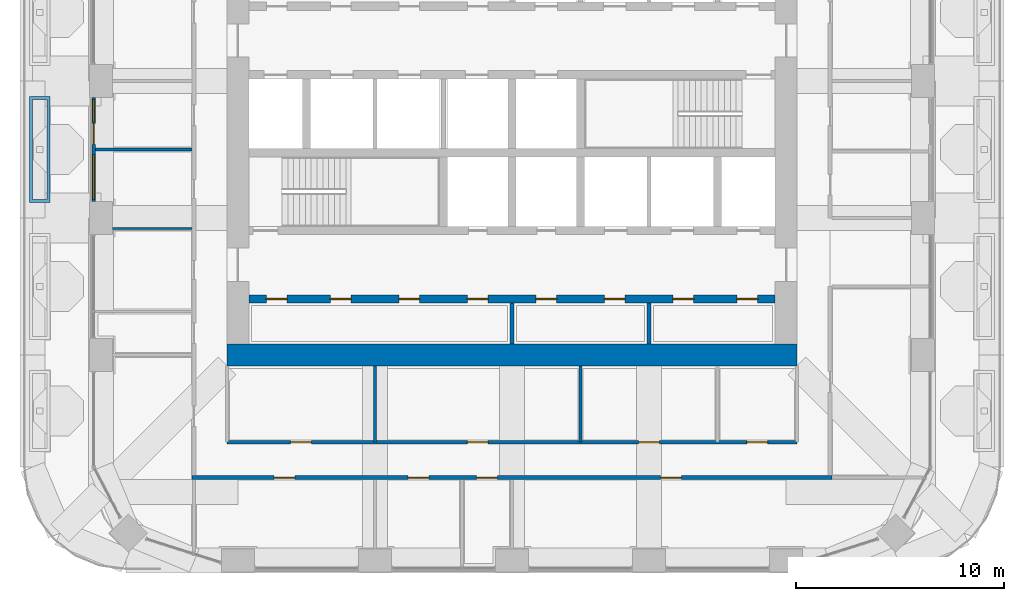
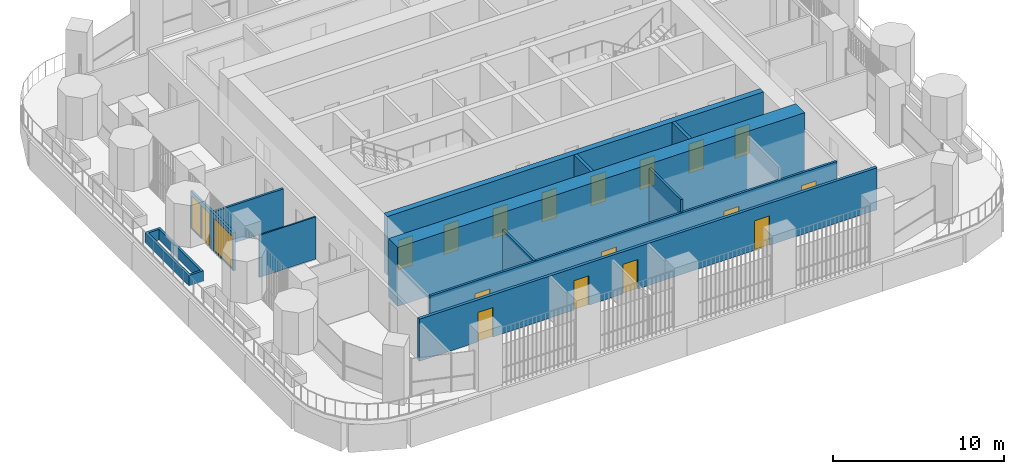
# One storey, part 14 of 24: 17 doors, 12 walls, 2 windows, 19 openings.
"""IFC4 building model written with IfcOpenShell, lengths in metres."""

from ifc_helpers import new_model, si_unit, direction, frame, frame_2d, origin, place, context, subcontext, project, spatial, polyline, rectangle, outline, extrude, material, layer, layer_set, type_object, element, fill, save


model = new_model("IFC4")

# Units and contexts
model_context = context("Model", 3, precision=1e-05, world=origin(), true_north=direction((0.0, 1.0)))
body_context = subcontext(model_context, "Body", "Model", "MODEL_VIEW")
ifc_project = project(units=[si_unit("LENGTHUNIT", "METRE"), si_unit("AREAUNIT", "SQUARE_METRE"), si_unit("VOLUMEUNIT", "CUBIC_METRE"), si_unit("PLANEANGLEUNIT", "RADIAN"), si_unit("MASSUNIT", "GRAM", prefix="KILO")], contexts=[model_context])

# Site, building, storey
site_placement = place(None, origin())
site = spatial("IfcSite", under=ifc_project, at=site_placement, CompositionType="ELEMENT")
building_placement = place(site_placement, origin())
building = spatial("IfcBuilding", under=site, at=building_placement, Name="Cobogo Forest Laboratory Tower", CompositionType="ELEMENT")
storey_placement = place(building_placement, frame((0.0, 0.0, 229.199951171875)))
storey = spatial("IfcBuildingStorey", under=building, at=storey_placement, Name="L52", CompositionType="ELEMENT", Elevation=229.199951171875)

# Wall, openings, doors
ifc_material_1 = material(Name="Concrete HA-50 (C50/60)", Category="concrete")
ifc_layer_1 = layer(ifc_material_1, 0.39990234375)
ifc_layer_set_1 = layer_set([ifc_layer_1], Name="CI400 core inner wall 400")
wall_type_1 = type_object("IfcWallType", Name="CI400 core inner wall 400", PredefinedType="SHEAR", material=ifc_layer_set_1)
wall_1_placement = place(storey_placement, frame((13.72509765625, 15.89990234375, 0.0), z_axis=(0.0, 0.0, 1.0), x_axis=(1.0, 0.0, 0.0)))
wall_1 = element("IfcWall", 1, at=wall_1_placement, inside=storey, type_object=wall_type_1, Name="Core wall CI-15.9 L52", PredefinedType="SHEAR", context=body_context, shape_type="SweptSolid", body=[
    extrude(rectangle(XDim=25.349853515625, YDim=0.39990234375, at=frame_2d((12.6748046875, 0.0))), origin(), (0.0, 0.0, 1.0), 4.199951171875),
])
opening_1_placement = place(wall_1_placement, frame((0.83740234375, 0.0, 0.0)))
opening_1 = element("IfcOpeningElement", 2, at=opening_1_placement, cuts=wall_1, Name="Opening L52-D12", PredefinedType="OPENING", context=body_context, shape_type="SweptSolid", body=[
    extrude(rectangle(XDim=1.0, YDim=2.10009765625, at=frame_2d((0.5, 1.050048828125))), frame((0.0, 0.2099609375, 0.0), z_axis=(0.0, -1.0, 0.0), x_axis=(1.0, 0.0, 0.0)), (0.0, 0.0, 1.0), 0.419921875),
])
opening_2_placement = place(wall_1_placement, frame((3.925048828125, 0.0, 0.0)))
opening_2 = element("IfcOpeningElement", 3, at=opening_2_placement, cuts=wall_1, Name="Opening L52-D13", PredefinedType="OPENING", context=body_context, shape_type="SweptSolid", body=[
    extrude(rectangle(XDim=1.0, YDim=2.10009765625, at=frame_2d((0.5, 1.050048828125))), frame((0.0, 0.2099609375, 0.0), z_axis=(0.0, -1.0, 0.0), x_axis=(1.0, 0.0, 0.0)), (0.0, 0.0, 1.0), 0.419921875),
])
opening_3_placement = place(wall_1_placement, frame((7.22509765625, 0.0, 0.0)))
opening_3 = element("IfcOpeningElement", 4, at=opening_3_placement, cuts=wall_1, Name="Opening L52-D14", PredefinedType="OPENING", context=body_context, shape_type="SweptSolid", body=[
    extrude(rectangle(XDim=1.0, YDim=2.10009765625, at=frame_2d((0.5, 1.050048828125))), frame((0.0, 0.2099609375, 0.0), z_axis=(0.0, -1.0, 0.0), x_axis=(1.0, 0.0, 0.0)), (0.0, 0.0, 1.0), 0.419921875),
])
opening_4_placement = place(wall_1_placement, frame((10.52490234375, 0.0, 0.0)))
opening_4 = element("IfcOpeningElement", 5, at=opening_4_placement, cuts=wall_1, Name="Opening L52-D15", PredefinedType="OPENING", context=body_context, shape_type="SweptSolid", body=[
    extrude(rectangle(XDim=1.0, YDim=2.10009765625, at=frame_2d((0.5, 1.050048828125))), frame((0.0, 0.2099609375, 0.0), z_axis=(0.0, -1.0, 0.0), x_axis=(1.0, 0.0, 0.0)), (0.0, 0.0, 1.0), 0.419921875),
])
opening_5_placement = place(wall_1_placement, frame((13.824951171875, 0.0, 0.0)))
opening_5 = element("IfcOpeningElement", 6, at=opening_5_placement, cuts=wall_1, Name="Opening L52-D16", PredefinedType="OPENING", context=body_context, shape_type="SweptSolid", body=[
    extrude(rectangle(XDim=1.0, YDim=2.10009765625, at=frame_2d((0.5, 1.050048828125))), frame((0.0, 0.2099609375, 0.0), z_axis=(0.0, -1.0, 0.0), x_axis=(1.0, 0.0, 0.0)), (0.0, 0.0, 1.0), 0.419921875),
])
opening_6_placement = place(wall_1_placement, frame((17.125, 0.0, 0.0)))
opening_6 = element("IfcOpeningElement", 7, at=opening_6_placement, cuts=wall_1, Name="Opening L52-D17", PredefinedType="OPENING", context=body_context, shape_type="SweptSolid", body=[
    extrude(rectangle(XDim=1.0, YDim=2.10009765625, at=frame_2d((0.5, 1.050048828125))), frame((0.0, 0.2099609375, 0.0), z_axis=(0.0, -1.0, 0.0), x_axis=(1.0, 0.0, 0.0)), (0.0, 0.0, 1.0), 0.419921875),
])
opening_7_placement = place(wall_1_placement, frame((20.425048828125, 0.0, 0.0)))
opening_7 = element("IfcOpeningElement", 8, at=opening_7_placement, cuts=wall_1, Name="Opening L52-D18", PredefinedType="OPENING", context=body_context, shape_type="SweptSolid", body=[
    extrude(rectangle(XDim=1.0, YDim=2.10009765625, at=frame_2d((0.5, 1.050048828125))), frame((0.0, 0.2099609375, 0.0), z_axis=(0.0, -1.0, 0.0), x_axis=(1.0, 0.0, 0.0)), (0.0, 0.0, 1.0), 0.419921875),
])
opening_8_placement = place(wall_1_placement, frame((23.512451171875, 0.0, 0.0)))
opening_8 = element("IfcOpeningElement", 9, at=opening_8_placement, cuts=wall_1, Name="Opening L52-D19", PredefinedType="OPENING", context=body_context, shape_type="SweptSolid", body=[
    extrude(rectangle(XDim=1.0, YDim=2.10009765625, at=frame_2d((0.5, 1.050048828125))), frame((0.0, 0.2099609375, 0.0), z_axis=(0.0, -1.0, 0.0), x_axis=(1.0, 0.0, 0.0)), (0.0, 0.0, 1.0), 0.419921875),
])
ifc_material_2 = material(Name="Steel fire door", Category="steel")
door_type_1 = type_object("IfcDoorType", Name="FD1 fire door 1000 EI2 60", OperationType="SINGLE_SWING_LEFT", PredefinedType="DOOR", material=ifc_material_2)
door_1_placement = place(opening_1_placement, origin())
door_1 = element("IfcDoor", 10, at=door_1_placement, inside=storey, type_object=door_type_1, Name="Door L52-SH-LA1", OperationType="SINGLE_SWING_LEFT", OverallHeight=2.10009765625, OverallWidth=1.0, PredefinedType="DOOR", context=body_context, shape_type="SweptSolid", body=[
    extrude(rectangle(XDim=1.0, YDim=2.10009765625, at=frame_2d((0.5, 1.050048828125))), frame((0.0, 0.02490234375, 0.0), z_axis=(0.0, -1.0, 0.0), x_axis=(1.0, 0.0, 0.0)), (0.0, 0.0, 1.0), 0.050048828125),
])
fill(opening_1, door_1)
door_2_placement = place(opening_2_placement, origin())
door_2 = element("IfcDoor", 11, at=door_2_placement, inside=storey, type_object=door_type_1, Name="Door L52-SH-LA2", OperationType="SINGLE_SWING_LEFT", OverallHeight=2.10009765625, OverallWidth=1.0, PredefinedType="DOOR", context=body_context, shape_type="SweptSolid", body=[
    extrude(rectangle(XDim=1.0, YDim=2.10009765625, at=frame_2d((0.5, 1.050048828125))), frame((0.0, 0.02490234375, 0.0), z_axis=(0.0, -1.0, 0.0), x_axis=(1.0, 0.0, 0.0)), (0.0, 0.0, 1.0), 0.050048828125),
])
fill(opening_2, door_2)
door_3_placement = place(opening_3_placement, origin())
door_3 = element("IfcDoor", 12, at=door_3_placement, inside=storey, type_object=door_type_1, Name="Door L52-SH-LA3", OperationType="SINGLE_SWING_LEFT", OverallHeight=2.10009765625, OverallWidth=1.0, PredefinedType="DOOR", context=body_context, shape_type="SweptSolid", body=[
    extrude(rectangle(XDim=1.0, YDim=2.10009765625, at=frame_2d((0.5, 1.050048828125))), frame((0.0, 0.02490234375, 0.0), z_axis=(0.0, -1.0, 0.0), x_axis=(1.0, 0.0, 0.0)), (0.0, 0.0, 1.0), 0.050048828125),
])
fill(opening_3, door_3)
door_4_placement = place(opening_4_placement, origin())
door_4 = element("IfcDoor", 13, at=door_4_placement, inside=storey, type_object=door_type_1, Name="Door L52-SH-LA4", OperationType="SINGLE_SWING_LEFT", OverallHeight=2.10009765625, OverallWidth=1.0, PredefinedType="DOOR", context=body_context, shape_type="SweptSolid", body=[
    extrude(rectangle(XDim=1.0, YDim=2.10009765625, at=frame_2d((0.5, 1.050048828125))), frame((0.0, 0.02490234375, 0.0), z_axis=(0.0, -1.0, 0.0), x_axis=(1.0, 0.0, 0.0)), (0.0, 0.0, 1.0), 0.050048828125),
])
fill(opening_4, door_4)
door_5_placement = place(opening_5_placement, origin())
door_5 = element("IfcDoor", 14, at=door_5_placement, inside=storey, type_object=door_type_1, Name="Door L52-SH-LB1", OperationType="SINGLE_SWING_RIGHT", OverallHeight=2.10009765625, OverallWidth=1.0, PredefinedType="DOOR", context=body_context, shape_type="SweptSolid", body=[
    extrude(rectangle(XDim=1.0, YDim=2.10009765625, at=frame_2d((0.5, 1.050048828125))), frame((0.0, 0.02490234375, 0.0), z_axis=(0.0, -1.0, 0.0), x_axis=(1.0, 0.0, 0.0)), (0.0, 0.0, 1.0), 0.050048828125),
])
fill(opening_5, door_5)
door_6_placement = place(opening_6_placement, origin())
door_6 = element("IfcDoor", 15, at=door_6_placement, inside=storey, type_object=door_type_1, Name="Door L52-SH-LB2", OperationType="SINGLE_SWING_RIGHT", OverallHeight=2.10009765625, OverallWidth=1.0, PredefinedType="DOOR", context=body_context, shape_type="SweptSolid", body=[
    extrude(rectangle(XDim=1.0, YDim=2.10009765625, at=frame_2d((0.5, 1.050048828125))), frame((0.0, 0.02490234375, 0.0), z_axis=(0.0, -1.0, 0.0), x_axis=(1.0, 0.0, 0.0)), (0.0, 0.0, 1.0), 0.050048828125),
])
fill(opening_6, door_6)
door_7_placement = place(opening_7_placement, origin())
door_7 = element("IfcDoor", 16, at=door_7_placement, inside=storey, type_object=door_type_1, Name="Door L52-SH-LB3", OperationType="SINGLE_SWING_RIGHT", OverallHeight=2.10009765625, OverallWidth=1.0, PredefinedType="DOOR", context=body_context, shape_type="SweptSolid", body=[
    extrude(rectangle(XDim=1.0, YDim=2.10009765625, at=frame_2d((0.5, 1.050048828125))), frame((0.0, 0.02490234375, 0.0), z_axis=(0.0, -1.0, 0.0), x_axis=(1.0, 0.0, 0.0)), (0.0, 0.0, 1.0), 0.050048828125),
])
fill(opening_7, door_7)
door_8_placement = place(opening_8_placement, origin())
door_8 = element("IfcDoor", 17, at=door_8_placement, inside=storey, type_object=door_type_1, Name="Door L52-SH-LB4", OperationType="SINGLE_SWING_RIGHT", OverallHeight=2.10009765625, OverallWidth=1.0, PredefinedType="DOOR", context=body_context, shape_type="SweptSolid", body=[
    extrude(rectangle(XDim=1.0, YDim=2.10009765625, at=frame_2d((0.5, 1.050048828125))), frame((0.0, 0.02490234375, 0.0), z_axis=(0.0, -1.0, 0.0), x_axis=(1.0, 0.0, 0.0)), (0.0, 0.0, 1.0), 0.050048828125),
])
fill(opening_8, door_8)

# Wall
ifc_layer_2 = layer(ifc_material_1, 1.050048828125)
ifc_layer_set_2 = layer_set([ifc_layer_2], Name="CW1050 core outer wall 1050")
wall_type_2 = type_object("IfcWallType", Name="CW1050 core outer wall 1050", PredefinedType="SHEAR", material=ifc_layer_set_2)
wall_2_placement = place(storey_placement, frame((12.675048828125, 13.199951171875, 0.0), z_axis=(0.0, 0.0, 1.0), x_axis=(1.0, 0.0, 0.0)))
element("IfcWall", 18, at=wall_2_placement, inside=storey, type_object=wall_type_2, Name="Core wall CO-S L52", PredefinedType="SHEAR", context=body_context, shape_type="SweptSolid", body=[
    extrude(rectangle(XDim=27.449951171875, YDim=1.050048828125, at=frame_2d((13.72509765625, 0.0))), origin(), (0.0, 0.0, 1.0), 4.199951171875),
])

# Wall, openings, door, windows
ifc_material_3 = material(Name="Aluminium framed glazed screen", Category="aluminium")
ifc_layer_3 = layer(ifc_material_3, 0.14990234375)
ifc_layer_set_3 = layer_set([ifc_layer_3], Name="GS1 glazed door screen 150")
wall_type_3 = type_object("IfcWallType", Name="GS1 glazed door screen 150", PredefinedType="SOLIDWALL", material=ifc_layer_set_3)
wall_3_placement = place(storey_placement, frame((6.25, 25.60009765625, 0.0), z_axis=(0.0, 0.0, 1.0), x_axis=(0.0, -1.0, 0.0)))
wall_3 = element("IfcWall", 19, at=wall_3_placement, inside=storey, type_object=wall_type_3, Name="Door screen TER-W L52", PredefinedType="SOLIDWALL", context=body_context, shape_type="SweptSolid", body=[
    extrude(rectangle(XDim=5.0, YDim=0.14990234375, at=frame_2d((2.5, 0.0))), origin(), (0.0, 0.0, 1.0), 2.699951171875),
])
opening_9_placement = place(wall_3_placement, frame((1.25, 0.0, 0.0)))
opening_9 = element("IfcOpeningElement", 20, at=opening_9_placement, cuts=wall_3, Name="Opening L52-D28", PredefinedType="OPENING", context=body_context, shape_type="SweptSolid", body=[
    extrude(rectangle(XDim=1.0, YDim=2.39990234375, at=frame_2d((0.5, 1.199951171875))), frame((0.0, 0.0849609375, 0.0), z_axis=(0.0, -1.0, 0.0), x_axis=(1.0, 0.0, 0.0)), (0.0, 0.0, 1.0), 0.169921875),
])
opening_10_placement = place(wall_3_placement, frame((0.10009765625, 0.0, 0.10009765625)))
opening_10 = element("IfcOpeningElement", 21, at=opening_10_placement, cuts=wall_3, Name="Opening L52-W03", PredefinedType="OPENING", context=body_context, shape_type="SweptSolid", body=[
    extrude(rectangle(XDim=1.050048828125, YDim=2.300048828125, at=frame_2d((0.52490234375, 1.14990234375))), frame((0.0, 0.0849609375, 0.0), z_axis=(0.0, -1.0, 0.0), x_axis=(1.0, 0.0, 0.0)), (0.0, 0.0, 1.0), 0.169921875),
])
opening_11_placement = place(wall_3_placement, frame((2.75, 0.0, 0.10009765625)))
opening_11 = element("IfcOpeningElement", 22, at=opening_11_placement, cuts=wall_3, Name="Opening L52-W01", PredefinedType="OPENING", context=body_context, shape_type="SweptSolid", body=[
    extrude(rectangle(XDim=2.14990234375, YDim=2.300048828125, at=frame_2d((1.074951171875, 1.14990234375))), frame((0.0, 0.0849609375, 0.0), z_axis=(0.0, -1.0, 0.0), x_axis=(1.0, 0.0, 0.0)), (0.0, 0.0, 1.0), 0.169921875),
])
ifc_material_4 = material(Name="Aluminium glazed door", Category="aluminium")
door_type_2 = type_object("IfcDoorType", Name="DT1 terrace door 1000 glazed", OperationType="SINGLE_SWING_RIGHT", PredefinedType="DOOR", material=ifc_material_4)
door_9_placement = place(opening_9_placement, origin())
door_9 = element("IfcDoor", 23, at=door_9_placement, inside=storey, type_object=door_type_2, Name="Door L52-TER-W", OperationType="SINGLE_SWING_LEFT", OverallHeight=2.39990234375, OverallWidth=1.0, PredefinedType="DOOR", context=body_context, shape_type="SweptSolid", body=[
    extrude(rectangle(XDim=1.0, YDim=2.39990234375, at=frame_2d((0.5, 1.199951171875))), frame((0.0, 0.02490234375, 0.0), z_axis=(0.0, -1.0, 0.0), x_axis=(1.0, 0.0, 0.0)), (0.0, 0.0, 1.0), 0.050048828125),
])
fill(opening_9, door_9)
ifc_material_5 = material(Name="Aluminium framed glazing", Category="aluminium")
window_type_1 = type_object("IfcWindowType", Name="WG13 fixed glazed light 2150x2300", PartitioningType="SINGLE_PANEL", PredefinedType="WINDOW", material=ifc_material_5)
window_1_placement = place(opening_11_placement, origin())
window_1 = element("IfcWindow", 24, at=window_1_placement, inside=storey, type_object=window_type_1, Name="Window L52-TER-W-2", OverallHeight=2.300048828125, OverallWidth=2.14990234375, PartitioningType="SINGLE_PANEL", PredefinedType="WINDOW", context=body_context, shape_type="SweptSolid", body=[
    extrude(rectangle(XDim=2.14990234375, YDim=2.300048828125, at=frame_2d((1.074951171875, 1.14990234375))), frame((0.0, 0.030029296875, 0.0), z_axis=(0.0, -1.0, 0.0), x_axis=(1.0, 0.0, 0.0)), (0.0, 0.0, 1.0), 0.06005859375),
])
fill(opening_11, window_1)
window_type_2 = type_object("IfcWindowType", Name="WG14 fixed glazed light 1050x2300", PartitioningType="SINGLE_PANEL", PredefinedType="WINDOW", material=ifc_material_5)
window_2_placement = place(opening_10_placement, origin())
window_2 = element("IfcWindow", 25, at=window_2_placement, inside=storey, type_object=window_type_2, Name="Window L52-TER-W-1", OverallHeight=2.300048828125, OverallWidth=1.050048828125, PartitioningType="SINGLE_PANEL", PredefinedType="WINDOW", context=body_context, shape_type="SweptSolid", body=[
    extrude(rectangle(XDim=1.050048828125, YDim=2.300048828125, at=frame_2d((0.52490234375, 1.14990234375))), frame((0.0, 0.030029296875, 0.0), z_axis=(0.0, -1.0, 0.0), x_axis=(1.0, 0.0, 0.0)), (0.0, 0.0, 1.0), 0.06005859375),
])
fill(opening_10, window_2)

# Wall, openings, doors
ifc_material_6 = material(Name="Gypsum board on steel studs", Category="steel")
ifc_layer_4 = layer(ifc_material_6, 0.14990234375)
ifc_layer_set_4 = layer_set([ifc_layer_4], Name="PT1 laboratory partition 150")
wall_type_4 = type_object("IfcWallType", Name="PT1 laboratory partition 150", PredefinedType="PARTITIONING", material=ifc_layer_set_4)
wall_4_placement = place(storey_placement, frame((12.675048828125, 9.0, 0.0), z_axis=(0.0, 0.0, 1.0), x_axis=(1.0, 0.0, 0.0)))
wall_4 = element("IfcWall", 26, at=wall_4_placement, inside=storey, type_object=wall_type_4, Name="Partition CSTRIP-S L52", PredefinedType="PARTITIONING", context=body_context, shape_type="SweptSolid", body=[
    extrude(rectangle(XDim=27.449951171875, YDim=0.14990234375, at=frame_2d((13.72509765625, 0.0))), origin(), (0.0, 0.0, 1.0), 3.0),
])
opening_12_placement = place(wall_4_placement, frame((3.0625, 0.0, 0.0)))
opening_12 = element("IfcOpeningElement", 27, at=opening_12_placement, cuts=wall_4, Name="Opening L52-D05", PredefinedType="OPENING", context=body_context, shape_type="SweptSolid", body=[
    extrude(rectangle(XDim=1.0, YDim=2.10009765625, at=frame_2d((0.5, 1.050048828125))), frame((0.0, 0.0849609375, 0.0), z_axis=(0.0, -1.0, 0.0), x_axis=(1.0, 0.0, 0.0)), (0.0, 0.0, 1.0), 0.169921875),
])
opening_13_placement = place(wall_4_placement, frame((11.574951171875, 0.0, 0.0)))
opening_13 = element("IfcOpeningElement", 28, at=opening_13_placement, cuts=wall_4, Name="Opening L52-D06", PredefinedType="OPENING", context=body_context, shape_type="SweptSolid", body=[
    extrude(rectangle(XDim=1.0, YDim=2.10009765625, at=frame_2d((0.5, 1.050048828125))), frame((0.0, 0.0849609375, 0.0), z_axis=(0.0, -1.0, 0.0), x_axis=(1.0, 0.0, 0.0)), (0.0, 0.0, 1.0), 0.169921875),
])
opening_14_placement = place(wall_4_placement, frame((19.824951171875, 0.0, 0.0)))
opening_14 = element("IfcOpeningElement", 29, at=opening_14_placement, cuts=wall_4, Name="Opening L52-D07", PredefinedType="OPENING", context=body_context, shape_type="SweptSolid", body=[
    extrude(rectangle(XDim=1.0, YDim=2.10009765625, at=frame_2d((0.5, 1.050048828125))), frame((0.0, 0.0849609375, 0.0), z_axis=(0.0, -1.0, 0.0), x_axis=(1.0, 0.0, 0.0)), (0.0, 0.0, 1.0), 0.169921875),
])
opening_15_placement = place(wall_4_placement, frame((25.03759765625, 0.0, 0.0)))
opening_15 = element("IfcOpeningElement", 30, at=opening_15_placement, cuts=wall_4, Name="Opening L52-D08", PredefinedType="OPENING", context=body_context, shape_type="SweptSolid", body=[
    extrude(rectangle(XDim=1.0, YDim=2.10009765625, at=frame_2d((0.5, 1.050048828125))), frame((0.0, 0.0849609375, 0.0), z_axis=(0.0, -1.0, 0.0), x_axis=(1.0, 0.0, 0.0)), (0.0, 0.0, 1.0), 0.169921875),
])
ifc_material_7 = material(Name="Timber fire door", Category="wood")
door_type_3 = type_object("IfcDoorType", Name="FD2 fire door 1000 EI2 30", OperationType="SINGLE_SWING_LEFT", PredefinedType="DOOR", material=ifc_material_7)
door_10_placement = place(opening_12_placement, origin())
door_10 = element("IfcDoor", 31, at=door_10_placement, inside=storey, type_object=door_type_3, Name="Door L52-CSS1", OperationType="SINGLE_SWING_LEFT", OverallHeight=2.10009765625, OverallWidth=1.0, PredefinedType="DOOR", context=body_context, shape_type="SweptSolid", body=[
    extrude(rectangle(XDim=1.0, YDim=2.10009765625, at=frame_2d((0.5, 1.050048828125))), frame((0.0, 0.02490234375, 0.0), z_axis=(0.0, -1.0, 0.0), x_axis=(1.0, 0.0, 0.0)), (0.0, 0.0, 1.0), 0.050048828125),
])
fill(opening_12, door_10)
door_11_placement = place(opening_13_placement, origin())
door_11 = element("IfcDoor", 32, at=door_11_placement, inside=storey, type_object=door_type_3, Name="Door L52-CSS2", OperationType="SINGLE_SWING_LEFT", OverallHeight=2.10009765625, OverallWidth=1.0, PredefinedType="DOOR", context=body_context, shape_type="SweptSolid", body=[
    extrude(rectangle(XDim=1.0, YDim=2.10009765625, at=frame_2d((0.5, 1.050048828125))), frame((0.0, 0.02490234375, 0.0), z_axis=(0.0, -1.0, 0.0), x_axis=(1.0, 0.0, 0.0)), (0.0, 0.0, 1.0), 0.050048828125),
])
fill(opening_13, door_11)
door_12_placement = place(opening_14_placement, origin())
door_12 = element("IfcDoor", 33, at=door_12_placement, inside=storey, type_object=door_type_3, Name="Door L52-CSS3", OperationType="SINGLE_SWING_RIGHT", OverallHeight=2.10009765625, OverallWidth=1.0, PredefinedType="DOOR", context=body_context, shape_type="SweptSolid", body=[
    extrude(rectangle(XDim=1.0, YDim=2.10009765625, at=frame_2d((0.5, 1.050048828125))), frame((0.0, 0.02490234375, 0.0), z_axis=(0.0, -1.0, 0.0), x_axis=(1.0, 0.0, 0.0)), (0.0, 0.0, 1.0), 0.050048828125),
])
fill(opening_14, door_12)
door_13_placement = place(opening_15_placement, origin())
door_13 = element("IfcDoor", 34, at=door_13_placement, inside=storey, type_object=door_type_3, Name="Door L52-CSS4", OperationType="SINGLE_SWING_RIGHT", OverallHeight=2.10009765625, OverallWidth=1.0, PredefinedType="DOOR", context=body_context, shape_type="SweptSolid", body=[
    extrude(rectangle(XDim=1.0, YDim=2.10009765625, at=frame_2d((0.5, 1.050048828125))), frame((0.0, 0.02490234375, 0.0), z_axis=(0.0, -1.0, 0.0), x_axis=(1.0, 0.0, 0.0)), (0.0, 0.0, 1.0), 0.050048828125),
])
fill(opening_15, door_13)

# Walls
wall_5_placement = place(storey_placement, frame((19.800048828125, 12.675048828125, 0.0), z_axis=(0.0, 0.0, 1.0), x_axis=(0.0, -1.0, 0.0)))
element("IfcWall", 35, at=wall_5_placement, inside=storey, type_object=wall_type_4, Name="Partition CSTRIP-S19.8 L52", PredefinedType="PARTITIONING", context=body_context, shape_type="SweptSolid", body=[
    extrude(rectangle(XDim=3.675048828125, YDim=0.14990234375, at=frame_2d((1.83740234375, 0.0))), origin(), (0.0, 0.0, 1.0), 3.0),
])
wall_6_placement = place(storey_placement, frame((29.699951171875, 12.675048828125, 0.0), z_axis=(0.0, 0.0, 1.0), x_axis=(0.0, -1.0, 0.0)))
element("IfcWall", 36, at=wall_6_placement, inside=storey, type_object=wall_type_4, Name="Partition CSTRIP-S29.7 L52", PredefinedType="PARTITIONING", context=body_context, shape_type="SweptSolid", body=[
    extrude(rectangle(XDim=3.675048828125, YDim=0.14990234375, at=frame_2d((1.83740234375, 0.0))), origin(), (0.0, 0.0, 1.0), 3.900146484375),
])
wall_7_placement = place(storey_placement, frame((6.330078125, 23.10009765625, 0.0), z_axis=(0.0, 0.0, 1.0), x_axis=(1.0, 0.0, 0.0)))
element("IfcWall", 37, at=wall_7_placement, inside=storey, type_object=wall_type_4, Name="Partition SVC-W3-1 L52", PredefinedType="PARTITIONING", context=body_context, shape_type="SweptSolid", body=[
    extrude(rectangle(XDim=4.64501953125, YDim=0.14990234375, at=frame_2d((2.322509765625, 0.0))), origin(), (0.0, 0.0, 1.0), 2.699951171875),
])

# Wall, openings, doors
ifc_layer_5 = layer(ifc_material_6, 0.199951171875)
ifc_layer_set_5 = layer_set([ifc_layer_5], Name="PT2 fire-rated corridor partition 200")
wall_type_5 = type_object("IfcWallType", Name="PT2 fire-rated corridor partition 200", PredefinedType="PARTITIONING", material=ifc_layer_set_5)
wall_8_placement = place(storey_placement, frame((10.97509765625, 7.300048828125, 0.0), z_axis=(0.0, 0.0, 1.0), x_axis=(1.0, 0.0, 0.0)))
wall_8 = element("IfcWall", 38, at=wall_8_placement, inside=storey, type_object=wall_type_5, Name="Partition CORR-S L52", PredefinedType="PARTITIONING", context=body_context, shape_type="SweptSolid", body=[
    extrude(rectangle(XDim=30.849853515625, YDim=0.199951171875, at=frame_2d((15.4248046875, 0.0))), origin(), (0.0, 0.0, 1.0), 3.0),
])
opening_16_placement = place(wall_8_placement, frame((3.96240234375, 0.0, 0.0)))
opening_16 = element("IfcOpeningElement", 39, at=opening_16_placement, cuts=wall_8, Name="Opening L52-D01", PredefinedType="OPENING", context=body_context, shape_type="SweptSolid", body=[
    extrude(rectangle(XDim=1.0, YDim=2.10009765625, at=frame_2d((0.5, 1.050048828125))), frame((0.0, 0.10986328125, 0.0), z_axis=(0.0, -1.0, 0.0), x_axis=(1.0, 0.0, 0.0)), (0.0, 0.0, 1.0), 0.219970703125),
])
opening_17_placement = place(wall_8_placement, frame((10.425048828125, 0.0, 0.0)))
opening_17 = element("IfcOpeningElement", 40, at=opening_17_placement, cuts=wall_8, Name="Opening L52-D02", PredefinedType="OPENING", context=body_context, shape_type="SweptSolid", body=[
    extrude(rectangle(XDim=1.0, YDim=2.10009765625, at=frame_2d((0.5, 1.050048828125))), frame((0.0, 0.10986328125, 0.0), z_axis=(0.0, -1.0, 0.0), x_axis=(1.0, 0.0, 0.0)), (0.0, 0.0, 1.0), 0.219970703125),
])
opening_18_placement = place(wall_8_placement, frame((13.72509765625, 0.0, 0.0)))
opening_18 = element("IfcOpeningElement", 41, at=opening_18_placement, cuts=wall_8, Name="Opening L52-D03", PredefinedType="OPENING", context=body_context, shape_type="SweptSolid", body=[
    extrude(rectangle(XDim=1.0, YDim=2.10009765625, at=frame_2d((0.5, 1.050048828125))), frame((0.0, 0.10986328125, 0.0), z_axis=(0.0, -1.0, 0.0), x_axis=(1.0, 0.0, 0.0)), (0.0, 0.0, 1.0), 0.219970703125),
])
opening_19_placement = place(wall_8_placement, frame((22.58740234375, 0.0, 0.0)))
opening_19 = element("IfcOpeningElement", 42, at=opening_19_placement, cuts=wall_8, Name="Opening L52-D04", PredefinedType="OPENING", context=body_context, shape_type="SweptSolid", body=[
    extrude(rectangle(XDim=1.0, YDim=2.10009765625, at=frame_2d((0.5, 1.050048828125))), frame((0.0, 0.10986328125, 0.0), z_axis=(0.0, -1.0, 0.0), x_axis=(1.0, 0.0, 0.0)), (0.0, 0.0, 1.0), 0.219970703125),
])
door_14_placement = place(opening_16_placement, origin())
door_14 = element("IfcDoor", 43, at=door_14_placement, inside=storey, type_object=door_type_3, Name="Door L52-S1", OperationType="SINGLE_SWING_LEFT", OverallHeight=2.10009765625, OverallWidth=1.0, PredefinedType="DOOR", context=body_context, shape_type="SweptSolid", body=[
    extrude(rectangle(XDim=1.0, YDim=2.10009765625, at=frame_2d((0.5, 1.050048828125))), frame((0.0, 0.02490234375, 0.0), z_axis=(0.0, -1.0, 0.0), x_axis=(1.0, 0.0, 0.0)), (0.0, 0.0, 1.0), 0.050048828125),
])
fill(opening_16, door_14)
door_15_placement = place(opening_17_placement, origin())
door_15 = element("IfcDoor", 44, at=door_15_placement, inside=storey, type_object=door_type_3, Name="Door L52-MTG", OperationType="SINGLE_SWING_LEFT", OverallHeight=2.10009765625, OverallWidth=1.0, PredefinedType="DOOR", context=body_context, shape_type="SweptSolid", body=[
    extrude(rectangle(XDim=1.0, YDim=2.10009765625, at=frame_2d((0.5, 1.050048828125))), frame((0.0, 0.02490234375, 0.0), z_axis=(0.0, -1.0, 0.0), x_axis=(1.0, 0.0, 0.0)), (0.0, 0.0, 1.0), 0.050048828125),
])
fill(opening_17, door_15)
door_16_placement = place(opening_18_placement, origin())
door_16 = element("IfcDoor", 45, at=door_16_placement, inside=storey, type_object=door_type_3, Name="Door L52-PAN", OperationType="SINGLE_SWING_LEFT", OverallHeight=2.10009765625, OverallWidth=1.0, PredefinedType="DOOR", context=body_context, shape_type="SweptSolid", body=[
    extrude(rectangle(XDim=1.0, YDim=2.10009765625, at=frame_2d((0.5, 1.050048828125))), frame((0.0, 0.02490234375, 0.0), z_axis=(0.0, -1.0, 0.0), x_axis=(1.0, 0.0, 0.0)), (0.0, 0.0, 1.0), 0.050048828125),
])
fill(opening_18, door_16)
door_17_placement = place(opening_19_placement, origin())
door_17 = element("IfcDoor", 46, at=door_17_placement, inside=storey, type_object=door_type_3, Name="Door L52-S2", OperationType="SINGLE_SWING_RIGHT", OverallHeight=2.10009765625, OverallWidth=1.0, PredefinedType="DOOR", context=body_context, shape_type="SweptSolid", body=[
    extrude(rectangle(XDim=1.0, YDim=2.10009765625, at=frame_2d((0.5, 1.050048828125))), frame((0.0, 0.02490234375, 0.0), z_axis=(0.0, -1.0, 0.0), x_axis=(1.0, 0.0, 0.0)), (0.0, 0.0, 1.0), 0.050048828125),
])
fill(opening_19, door_17)

# Walls
ifc_layer_6 = layer(ifc_material_6, 0.10009765625)
ifc_layer_set_6 = layer_set([ifc_layer_6], Name="PT3 toilet partition 100")
wall_type_6 = type_object("IfcWallType", Name="PT3 toilet partition 100", PredefinedType="PARTITIONING", material=ifc_layer_set_6)
wall_9_placement = place(storey_placement, frame((7.14990234375, 19.300048828125, 0.0), z_axis=(0.0, 0.0, 1.0), x_axis=(1.0, 0.0, 0.0)))
element("IfcWall", 47, at=wall_9_placement, inside=storey, type_object=wall_type_6, Name="Partition SVC-W2-1 L52", PredefinedType="PARTITIONING", context=body_context, shape_type="SweptSolid", body=[
    extrude(rectangle(XDim=3.8251953125, YDim=0.10009765625, at=frame_2d((1.91259765625, 0.0))), origin(), (0.0, 0.0, 1.0), 3.0),
])
ifc_material_8 = material(Name="Concrete HA-40 (C40/50)", Category="concrete")
ifc_layer_7 = layer(ifc_material_8, 0.14990234375)
ifc_layer_set_7 = layer_set([ifc_layer_7], Name="Planter box 1000x750")
wall_type_7 = type_object("IfcWallType", Name="Planter box 1000x750", PredefinedType="USERDEFINED", material=ifc_layer_set_7)
wall_10_placement = place(storey_placement, origin())
element("IfcWall", 48, at=wall_10_placement, inside=storey, type_object=wall_type_7, Name="Terrace planter TER-W-3 L52", ObjectType="PLANTER", PredefinedType="USERDEFINED", context=body_context, shape_type="SweptSolid", body=[
    extrude(outline(polyline([(3.14990234375, 20.550048828125), (4.14990234375, 20.550048828125), (4.14990234375, 25.64990234375), (3.14990234375, 25.64990234375), (3.14990234375, 20.550048828125)]), holes=[polyline([(3.300048828125, 20.699951171875), (4.0, 20.699951171875), (4.0, 25.5), (3.300048828125, 25.5), (3.300048828125, 20.699951171875)])]), origin(), (0.0, 0.0, 1.0), 0.75),
])
ifc_material_9 = material(Name="Concrete block", Category="concrete")
ifc_layer_8 = layer(ifc_material_9, 0.199951171875)
ifc_layer_set_8 = layer_set([ifc_layer_8], Name="SW200 lift shaft separator 200")
wall_type_8 = type_object("IfcWallType", Name="SW200 lift shaft separator 200", PredefinedType="PARTITIONING", material=ifc_layer_set_8)
for number, where, z_axis, x_axis, name in (
    (49, (26.39990234375, 13.72509765625, 0.0), (0.0, 0.0, 1.0), (0.0, 1.0, 0.0), "Core wall SEP-S4 L52"),
    (50, (33.0, 13.72509765625, 0.0), (0.0, 0.0, 1.0), (0.0, 1.0, 0.0), "Core wall SEP-S6 L52"),
):
    element("IfcWall", number, at=place(storey_placement, frame(where, z_axis=z_axis, x_axis=x_axis)), inside=storey, type_object=wall_type_8, Name=name, PredefinedType="PARTITIONING", context=body_context, shape_type="SweptSolid", body=[
        extrude(rectangle(XDim=1.974853515625, YDim=0.199951171875, at=frame_2d((0.9873046875, 0.0))), origin(), (0.0, 0.0, 1.0), 4.199951171875),
    ])

save(model, "model.ifc")
